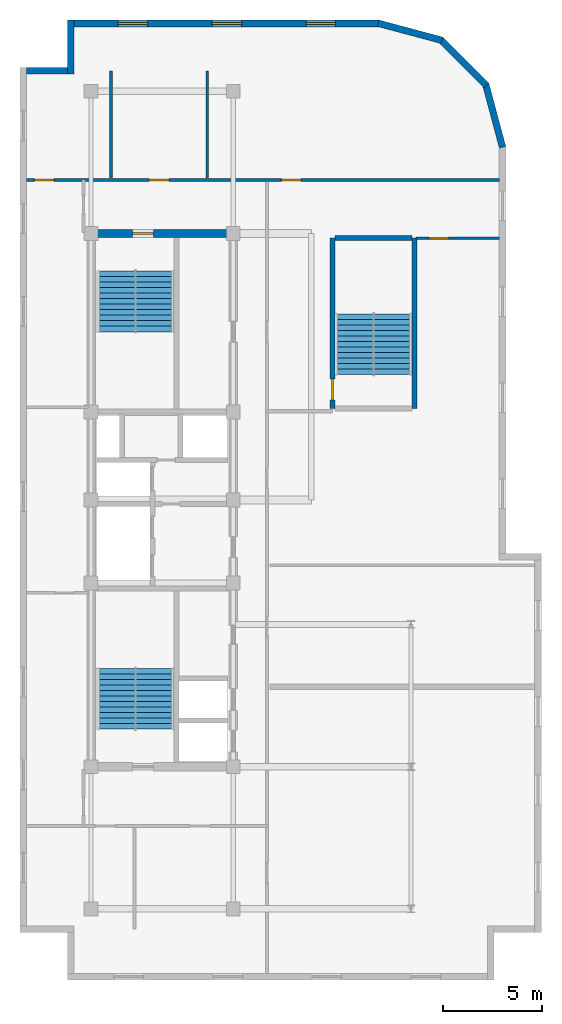
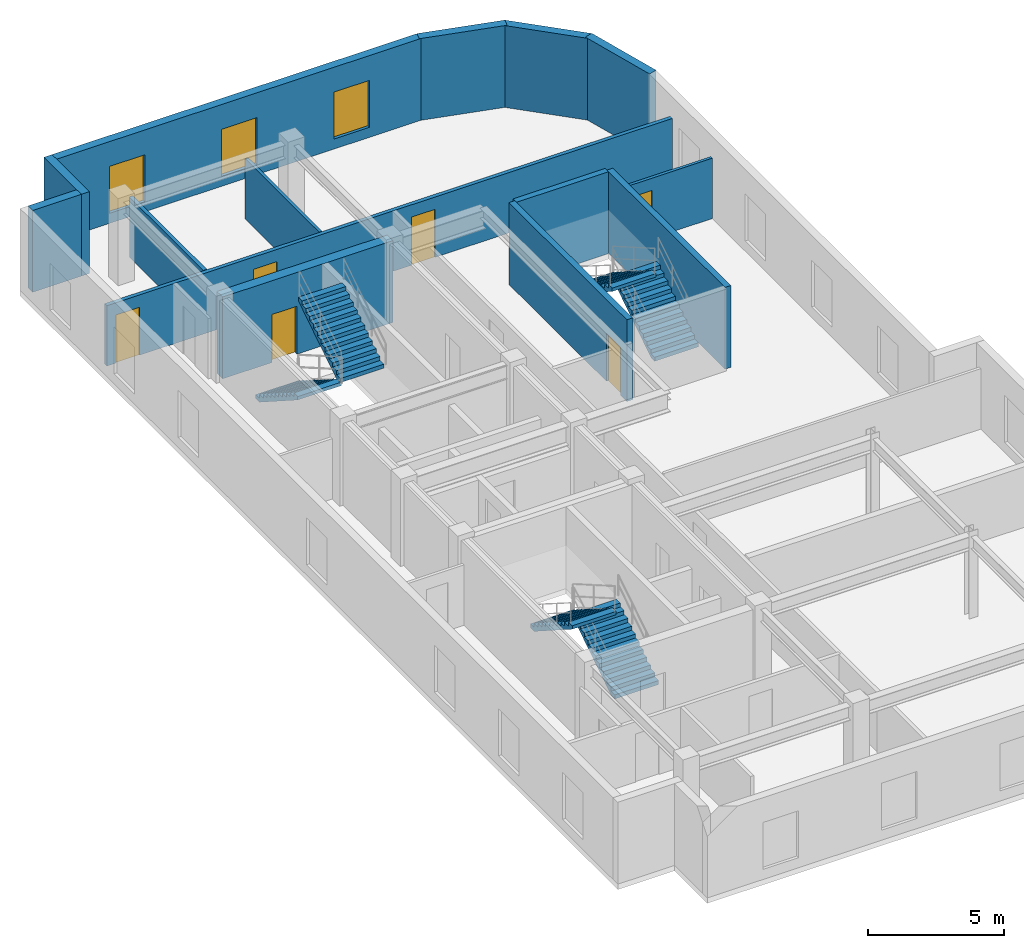
# One storey, part 4 of 5: 14 walls, 6 doors, 6 stair flights, 3 windows, 9 openings, 3 elements without a shape of their own.
"""IFC4 building model written with IfcOpenShell, lengths in metres."""

from ifc_helpers import new_model, entity, si_unit, converted_unit, direction, frame, origin_with_axes, origin_2d_with_axis, place, context, subcontext, project, spatial, polyline, rectangle, outline, extrude, material, layer, layer_set, type_object, element, fill, aggregate, save


model = new_model("IFC4")

# Units and contexts
model_context = context("Model", 3, precision=1e-05, world=origin_with_axes(), true_north=direction((0.0, 1.0)))
body_context = subcontext(model_context, "Body", "Model", "MODEL_VIEW")
ifc_project = project(units=[si_unit("LENGTHUNIT", "METRE"), si_unit("AREAUNIT", "SQUARE_METRE"), si_unit("VOLUMEUNIT", "CUBIC_METRE"), converted_unit("PLANEANGLEUNIT", "DEGREE", entity("IfcPlaneAngleMeasure", 0.017453292519943295), si_unit("PLANEANGLEUNIT", "RADIAN"), dimensions=[0, 0, 0, 0, 0, 0, 0]), si_unit("MASSUNIT", "GRAM", prefix="KILO"), si_unit("THERMODYNAMICTEMPERATUREUNIT", "KELVIN")], contexts=[model_context])

# Site, building, storey
site_placement = place(None, origin_with_axes())
site = spatial("IfcSite", under=ifc_project, at=site_placement, CompositionType="ELEMENT")
building_placement = place(site_placement, origin_with_axes())
building = spatial("IfcBuilding", under=site, at=building_placement, Name="Varnlund Millrace Tower", CompositionType="ELEMENT")
storey_placement = place(building_placement, frame((0.0, 0.0, 291.9), z_axis=(0.0, 0.0, 1.0), x_axis=(1.0, 0.0, 0.0)))
storey = spatial("IfcBuildingStorey", under=building, at=storey_placement, Name="L72", CompositionType="ELEMENT", Elevation=291.9)

# Wall, opening, door
ifc_material_1 = material(Name="Concrete C60/75", Category="concrete")
ifc_layer_1 = layer(ifc_material_1, 0.42, Name="Concrete C60/75")
ifc_layer_set_1 = layer_set([ifc_layer_1], Name="Concrete C60/75")
wall_type_1 = type_object("IfcWallType", Name="Type-CoreWall-Shear-420-C60", PredefinedType="SHEAR", material=ifc_layer_set_1)
wall_1_placement = place(storey_placement, frame((11.4, 37.8, 0.0), z_axis=(0.0, 0.0, 1.0), x_axis=(1.0, 0.0, 0.0)))
wall_1 = element("IfcWall", 1, at=wall_1_placement, inside=storey, type_object=wall_type_1, Name="Type-CoreWall-Shear-420-C60", PredefinedType="SHEAR", context=body_context, shape_type="SweptSolid", body=[
    extrude(outline(polyline([(0.0, -0.21), (7.2, -0.21), (7.2, 0.21), (0.0, 0.21), (0.0, -0.21)])), origin_with_axes(), (0.0, 0.0, 1.0), 3.66),
])
opening_1_placement = place(wall_1_placement, frame((2.625, 0.0, 0.0), z_axis=(0.0, 0.0, 1.0), x_axis=(1.0, 0.0, 0.0)))
opening_1 = element("IfcOpeningElement", 2, at=opening_1_placement, cuts=wall_1, Name="Opening L72:DR-STA2", PredefinedType="OPENING", context=body_context, shape_type="SweptSolid", body=[
    extrude(rectangle(XDim=1.05, YDim=0.44, at=origin_2d_with_axis()), origin_with_axes(), (0.0, 0.0, 1.0), 2.15),
])
ifc_material_2 = material(Name="Fire-rated hollow steel door", Category="steel")
door_type_1 = type_object("IfcDoorType", Name="Type-FireDoor-Stair-1050X2150", OperationType="NOTDEFINED", PredefinedType="DOOR", material=ifc_material_2)
door_1_placement = place(wall_1_placement, frame((2.625, 0.0, 0.0), z_axis=(0.0, 0.0, 1.0), x_axis=(1.0, 0.0, 0.0)))
door_1 = element("IfcDoor", 3, at=door_1_placement, inside=storey, type_object=door_type_1, Name="Type-FireDoor-Stair-1050X2150", OperationType="SINGLE_SWING_RIGHT", OverallHeight=2.15, OverallWidth=1.05, PredefinedType="DOOR", context=body_context, shape_type="SweptSolid", body=[
    extrude(rectangle(XDim=1.05, YDim=0.09, at=origin_2d_with_axis()), origin_with_axes(), (0.0, 0.0, 1.0), 2.15),
])
fill(opening_1, door_1)

# Walls
ifc_material_3 = material(Name="Precast concrete C50/60", Category="concrete")
ifc_layer_2 = layer(ifc_material_3, 0.34, Name="Precast concrete C50/60")
ifc_layer_set_2 = layer_set([ifc_layer_2], Name="Precast concrete C50/60")
wall_type_2 = type_object("IfcWallType", Name="Type-ExtWall-Precast-Upper-340", PredefinedType="SOLIDWALL", material=ifc_layer_set_2)
wall_2_placement = place(storey_placement, frame((8.14, 46.03, 0.0), z_axis=(0.0, 0.0, 1.0), x_axis=(1.0, 0.0, 0.0)))
element("IfcWall", 4, at=wall_2_placement, inside=storey, type_object=wall_type_2, Name="Type-ExtWall-Precast-Upper-340", PredefinedType="SOLIDWALL", context=body_context, shape_type="SweptSolid", body=[
    extrude(outline(polyline([(0.0, -0.17), (2.06, -0.17), (2.06, 0.17), (0.0, 0.17), (0.0, -0.17)])), origin_with_axes(), (0.0, 0.0, 1.0), 3.66),
])
wall_3_placement = place(storey_placement, frame((10.37, 45.86, 0.0), z_axis=(0.0, 0.0, 1.0), x_axis=(0.0, 1.0, 0.0)))
element("IfcWall", 5, at=wall_3_placement, inside=storey, type_object=wall_type_2, Name="Type-ExtWall-Precast-Upper-340", PredefinedType="SOLIDWALL", context=body_context, shape_type="SweptSolid", body=[
    extrude(outline(polyline([(0.0, -0.17), (2.74, -0.17), (2.74, 0.17), (0.0, 0.17), (0.0, -0.17)])), origin_with_axes(), (0.0, 0.0, 1.0), 3.66),
])

# Wall, openings, windows
wall_4_placement = place(storey_placement, frame((10.54, 48.43, 0.0), z_axis=(0.0, 0.0, 1.0), x_axis=(1.0, 0.0, 0.0)))
wall_4 = element("IfcWall", 6, at=wall_4_placement, inside=storey, type_object=wall_type_2, Name="Type-ExtWall-Precast-Upper-340", PredefinedType="SOLIDWALL", context=body_context, shape_type="SweptSolid", body=[
    extrude(outline(polyline([(0.0, -0.17), (15.46, -0.17), (15.46, 0.17), (0.0, 0.17), (0.0, -0.17)])), origin_with_axes(), (0.0, 0.0, 1.0), 3.66),
])
opening_2_placement = place(wall_4_placement, frame((2.977, 0.0, 0.45), z_axis=(0.0, 0.0, 1.0), x_axis=(1.0, 0.0, 0.0)))
opening_2 = element("IfcOpeningElement", 7, at=opening_2_placement, cuts=wall_4, Name="Opening L72:WN-12", PredefinedType="OPENING", context=body_context, shape_type="SweptSolid", body=[
    extrude(rectangle(XDim=1.5, YDim=0.36, at=origin_2d_with_axis()), origin_with_axes(), (0.0, 0.0, 1.0), 2.1),
])
opening_3_placement = place(wall_4_placement, frame((7.73, 0.0, 0.45), z_axis=(0.0, 0.0, 1.0), x_axis=(1.0, 0.0, 0.0)))
opening_3 = element("IfcOpeningElement", 8, at=opening_3_placement, cuts=wall_4, Name="Opening L72:WN-13", PredefinedType="OPENING", context=body_context, shape_type="SweptSolid", body=[
    extrude(rectangle(XDim=1.5, YDim=0.36, at=origin_2d_with_axis()), origin_with_axes(), (0.0, 0.0, 1.0), 2.1),
])
opening_4_placement = place(wall_4_placement, frame((12.483, 0.0, 0.45), z_axis=(0.0, 0.0, 1.0), x_axis=(1.0, 0.0, 0.0)))
opening_4 = element("IfcOpeningElement", 9, at=opening_4_placement, cuts=wall_4, Name="Opening L72:WN-14", PredefinedType="OPENING", context=body_context, shape_type="SweptSolid", body=[
    extrude(rectangle(XDim=1.5, YDim=0.36, at=origin_2d_with_axis()), origin_with_axes(), (0.0, 0.0, 1.0), 2.1),
])
ifc_material_4 = material(Name="Argon low-e triple glazing in thermally broken bronze frame", Category="glass")
window_type = type_object("IfcWindowType", Name="Type-Window-Punched-1500X2100", PartitioningType="SINGLE_PANEL", PredefinedType="WINDOW", material=ifc_material_4)
window_1_placement = place(wall_4_placement, frame((2.977, 0.0, 0.45), z_axis=(0.0, 0.0, 1.0), x_axis=(1.0, 0.0, 0.0)))
window_1 = element("IfcWindow", 10, at=window_1_placement, inside=storey, type_object=window_type, Name="Type-Window-Punched-1500X2100", OverallHeight=2.1, OverallWidth=1.5, PredefinedType="WINDOW", context=body_context, shape_type="SweptSolid", body=[
    extrude(rectangle(XDim=1.5, YDim=0.09, at=origin_2d_with_axis()), origin_with_axes(), (0.0, 0.0, 1.0), 2.1),
])
fill(opening_2, window_1)
window_2_placement = place(wall_4_placement, frame((7.73, 0.0, 0.45), z_axis=(0.0, 0.0, 1.0), x_axis=(1.0, 0.0, 0.0)))
window_2 = element("IfcWindow", 11, at=window_2_placement, inside=storey, type_object=window_type, Name="Type-Window-Punched-1500X2100", OverallHeight=2.1, OverallWidth=1.5, PredefinedType="WINDOW", context=body_context, shape_type="SweptSolid", body=[
    extrude(rectangle(XDim=1.5, YDim=0.09, at=origin_2d_with_axis()), origin_with_axes(), (0.0, 0.0, 1.0), 2.1),
])
fill(opening_3, window_2)
window_3_placement = place(wall_4_placement, frame((12.483, 0.0, 0.45), z_axis=(0.0, 0.0, 1.0), x_axis=(1.0, 0.0, 0.0)))
window_3 = element("IfcWindow", 12, at=window_3_placement, inside=storey, type_object=window_type, Name="Type-Window-Punched-1500X2100", OverallHeight=2.1, OverallWidth=1.5, PredefinedType="WINDOW", context=body_context, shape_type="SweptSolid", body=[
    extrude(rectangle(XDim=1.5, YDim=0.09, at=origin_2d_with_axis()), origin_with_axes(), (0.0, 0.0, 1.0), 2.1),
])
fill(opening_4, window_3)

# Walls
wall_5_placement = place(storey_placement, frame((25.937, 48.441, 0.0), z_axis=(0.0, 0.0, 1.0), x_axis=(0.965965, -0.258671, 0.0)))
element("IfcWall", 13, at=wall_5_placement, inside=storey, type_object=wall_type_2, Name="Type-ExtWall-Precast-Upper-340", PredefinedType="SOLIDWALL", context=body_context, shape_type="SweptSolid", body=[
    extrude(outline(polyline([(0.0, -0.17), (3.332417, -0.17), (3.332417, 0.17), (0.0, 0.17), (0.0, -0.17)])), origin_with_axes(), (0.0, 0.0, 1.0), 3.66),
])
wall_6_placement = place(storey_placement, frame((29.066, 47.637, 0.0), z_axis=(0.0, 0.0, 1.0), x_axis=(0.707107, -0.707107, 0.0)))
element("IfcWall", 14, at=wall_6_placement, inside=storey, type_object=wall_type_2, Name="Type-ExtWall-Precast-Upper-340", PredefinedType="SOLIDWALL", context=body_context, shape_type="SweptSolid", body=[
    extrude(outline(polyline([(0.0, -0.17), (3.333301, -0.17), (3.333301, 0.17), (0.0, 0.17), (0.0, -0.17)])), origin_with_axes(), (0.0, 0.0, 1.0), 3.66),
])
wall_7_placement = place(storey_placement, frame((31.374, 45.375, 0.0), z_axis=(0.0, 0.0, 1.0), x_axis=(0.258671, -0.965965, 0.0)))
element("IfcWall", 15, at=wall_7_placement, inside=storey, type_object=wall_type_2, Name="Type-ExtWall-Precast-Upper-340", PredefinedType="SOLIDWALL", context=body_context, shape_type="SweptSolid", body=[
    extrude(outline(polyline([(0.0, -0.17), (3.332417, -0.17), (3.332417, 0.17), (0.0, 0.17), (0.0, -0.17)])), origin_with_axes(), (0.0, 0.0, 1.0), 3.66),
])

# Wall, openings, doors
ifc_material_5 = material(Name="Fire-rated gypsum board on cold-formed steel framing", Category="steel")
ifc_layer_3 = layer(ifc_material_5, 0.16, Name="Fire-rated gypsum board on cold-formed steel framing")
ifc_layer_set_3 = layer_set([ifc_layer_3], Name="Fire-rated gypsum board on cold-formed steel framing")
wall_type_3 = type_object("IfcWallType", Name="Type-Partition-Corridor-160", PredefinedType="PARTITIONING", material=ifc_layer_set_3)
wall_8_placement = place(storey_placement, frame((8.135, 40.5, 0.0), z_axis=(0.0, 0.0, 1.0), x_axis=(1.0, 0.0, 0.0)))
wall_8 = element("IfcWall", 16, at=wall_8_placement, inside=storey, type_object=wall_type_3, Name="Type-Partition-Corridor-160", PredefinedType="PARTITIONING", context=body_context, shape_type="SweptSolid", body=[
    extrude(outline(polyline([(0.0, -0.08), (23.93, -0.08), (23.93, 0.08), (0.0, 0.08), (0.0, -0.08)])), origin_with_axes(), (0.0, 0.0, 1.0), 2.7),
])
opening_5_placement = place(wall_8_placement, frame((0.889, 0.0, 0.0), z_axis=(0.0, 0.0, 1.0), x_axis=(1.0, 0.0, 0.0)))
opening_5 = element("IfcOpeningElement", 17, at=opening_5_placement, cuts=wall_8, Name="Opening L72:DR-WAN-01", PredefinedType="OPENING", context=body_context, shape_type="SweptSolid", body=[
    extrude(rectangle(XDim=1.0, YDim=0.18, at=origin_2d_with_axis()), origin_with_axes(), (0.0, 0.0, 1.0), 2.15),
])
opening_6_placement = place(wall_8_placement, frame((6.7075, 0.0, 0.0), z_axis=(0.0, 0.0, 1.0), x_axis=(1.0, 0.0, 0.0)))
opening_6 = element("IfcOpeningElement", 18, at=opening_6_placement, cuts=wall_8, Name="Opening L72:DR-WAN-02", PredefinedType="OPENING", context=body_context, shape_type="SweptSolid", body=[
    extrude(rectangle(XDim=1.0, YDim=0.18, at=origin_2d_with_axis()), origin_with_axes(), (0.0, 0.0, 1.0), 2.15),
])
opening_7_placement = place(wall_8_placement, frame((13.393, 0.0, 0.0), z_axis=(0.0, 0.0, 1.0), x_axis=(1.0, 0.0, 0.0)))
opening_7 = element("IfcOpeningElement", 19, at=opening_7_placement, cuts=wall_8, Name="Opening L72:DR-WAN-03", PredefinedType="OPENING", context=body_context, shape_type="SweptSolid", body=[
    extrude(rectangle(XDim=1.0, YDim=0.18, at=origin_2d_with_axis()), origin_with_axes(), (0.0, 0.0, 1.0), 2.15),
])
ifc_material_6 = material(Name="Solid-core white oak and bronze frame door")
door_type_2 = type_object("IfcDoorType", Name="Type-IntDoor-Office-1000X2150", OperationType="NOTDEFINED", PredefinedType="DOOR", material=ifc_material_6)
door_2_placement = place(wall_8_placement, frame((0.889, 0.0, 0.0), z_axis=(0.0, 0.0, 1.0), x_axis=(1.0, 0.0, 0.0)))
door_2 = element("IfcDoor", 20, at=door_2_placement, inside=storey, type_object=door_type_2, Name="Type-IntDoor-Office-1000X2150", OperationType="SINGLE_SWING_LEFT", OverallHeight=2.15, OverallWidth=1.0, PredefinedType="DOOR", context=body_context, shape_type="SweptSolid", body=[
    extrude(rectangle(XDim=1.0, YDim=0.09, at=origin_2d_with_axis()), origin_with_axes(), (0.0, 0.0, 1.0), 2.15),
])
fill(opening_5, door_2)
door_3_placement = place(wall_8_placement, frame((6.7075, 0.0, 0.0), z_axis=(0.0, 0.0, 1.0), x_axis=(1.0, 0.0, 0.0)))
door_3 = element("IfcDoor", 21, at=door_3_placement, inside=storey, type_object=door_type_2, Name="Type-IntDoor-Office-1000X2150", OperationType="SINGLE_SWING_RIGHT", OverallHeight=2.15, OverallWidth=1.0, PredefinedType="DOOR", context=body_context, shape_type="SweptSolid", body=[
    extrude(rectangle(XDim=1.0, YDim=0.09, at=origin_2d_with_axis()), origin_with_axes(), (0.0, 0.0, 1.0), 2.15),
])
fill(opening_6, door_3)
door_4_placement = place(wall_8_placement, frame((13.393, 0.0, 0.0), z_axis=(0.0, 0.0, 1.0), x_axis=(1.0, 0.0, 0.0)))
door_4 = element("IfcDoor", 22, at=door_4_placement, inside=storey, type_object=door_type_2, Name="Type-IntDoor-Office-1000X2150", OperationType="SINGLE_SWING_LEFT", OverallHeight=2.15, OverallWidth=1.0, PredefinedType="DOOR", context=body_context, shape_type="SweptSolid", body=[
    extrude(rectangle(XDim=1.0, YDim=0.09, at=origin_2d_with_axis()), origin_with_axes(), (0.0, 0.0, 1.0), 2.15),
])
fill(opening_7, door_4)

# Walls
ifc_material_7 = material(Name="Acoustic STC-50 gypsum board partition", Category="gypsum")
ifc_layer_4 = layer(ifc_material_7, 0.15, Name="Acoustic STC-50 gypsum board partition")
ifc_layer_set_4 = layer_set([ifc_layer_4], Name="Acoustic STC-50 gypsum board partition")
wall_type_4 = type_object("IfcWallType", Name="Type-Partition-Demising-150", PredefinedType="PARTITIONING", material=ifc_layer_set_4)
wall_9_placement = place(storey_placement, frame((12.399, 40.6, 0.0), z_axis=(0.0, 0.0, 1.0), x_axis=(0.0, 1.0, 0.0)))
element("IfcWall", 23, at=wall_9_placement, inside=storey, type_object=wall_type_4, Name="Type-Partition-Demising-150", PredefinedType="PARTITIONING", context=body_context, shape_type="SweptSolid", body=[
    extrude(outline(polyline([(0.0, -0.075), (5.42, -0.075), (5.42, 0.075), (0.0, 0.075), (0.0, -0.075)])), origin_with_axes(), (0.0, 0.0, 1.0), 2.7),
])
ifc_material_8 = material(Name="Gypsum board tenant partition", Category="gypsum")
ifc_layer_5 = layer(ifc_material_8, 0.125, Name="Gypsum board tenant partition")
ifc_layer_set_5 = layer_set([ifc_layer_5], Name="Gypsum board tenant partition")
wall_type_5 = type_object("IfcWallType", Name="Type-Partition-Tenant-125", PredefinedType="PARTITIONING", material=ifc_layer_set_5)
wall_10_placement = place(storey_placement, frame((17.286, 40.6, 0.0), z_axis=(0.0, 0.0, 1.0), x_axis=(0.0, 1.0, 0.0)))
element("IfcWall", 24, at=wall_10_placement, inside=storey, type_object=wall_type_5, Name="Type-Partition-Tenant-125", PredefinedType="PARTITIONING", context=body_context, shape_type="SweptSolid", body=[
    extrude(outline(polyline([(0.0, -0.0625), (5.42, -0.0625), (5.42, 0.0625), (0.0, 0.0625), (0.0, -0.0625)])), origin_with_axes(), (0.0, 0.0, 1.0), 2.7),
])

# Wall, opening, door
wall_11_placement = place(storey_placement, frame((27.85, 37.55, 0.0), z_axis=(0.0, 0.0, 1.0), x_axis=(1.0, 0.0, 0.0)))
wall_11 = element("IfcWall", 25, at=wall_11_placement, inside=storey, type_object=wall_type_5, Name="Type-Partition-Tenant-125", PredefinedType="PARTITIONING", context=body_context, shape_type="SweptSolid", body=[
    extrude(outline(polyline([(0.0, -0.0625), (4.215, -0.0625), (4.215, 0.0625), (0.0, 0.0625), (0.0, -0.0625)])), origin_with_axes(), (0.0, 0.0, 1.0), 2.7),
])
opening_8_placement = place(wall_11_placement, frame((1.15, 0.0, 0.0), z_axis=(0.0, 0.0, 1.0), x_axis=(1.0, 0.0, 0.0)))
opening_8 = element("IfcOpeningElement", 26, at=opening_8_placement, cuts=wall_11, Name="Opening L72:DR-SUM-N", PredefinedType="OPENING", context=body_context, shape_type="SweptSolid", body=[
    extrude(rectangle(XDim=1.0, YDim=0.145, at=origin_2d_with_axis()), origin_with_axes(), (0.0, 0.0, 1.0), 2.15),
])
door_5_placement = place(wall_11_placement, frame((1.15, 0.0, 0.0), z_axis=(0.0, 0.0, 1.0), x_axis=(1.0, 0.0, 0.0)))
door_5 = element("IfcDoor", 27, at=door_5_placement, inside=storey, type_object=door_type_2, Name="Type-IntDoor-Office-1000X2150", OperationType="SINGLE_SWING_LEFT", OverallHeight=2.15, OverallWidth=1.0, PredefinedType="DOOR", context=body_context, shape_type="SweptSolid", body=[
    extrude(rectangle(XDim=1.0, YDim=0.075, at=origin_2d_with_axis()), origin_with_axes(), (0.0, 0.0, 1.0), 2.15),
])
fill(opening_8, door_5)

ifc_layer_6 = layer(ifc_material_1, 0.25, Name="Concrete C60/75")
ifc_layer_set_6 = layer_set([ifc_layer_6], Name="Concrete C60/75")
wall_type_6 = type_object("IfcWallType", Name="Type-StairWall-Shear-250", PredefinedType="SHEAR", material=ifc_layer_set_6)
wall_12_placement = place(storey_placement, frame((23.625, 28.925, 0.0), z_axis=(0.0, 0.0, 1.0), x_axis=(0.0, 1.0, 0.0)))
wall_12 = element("IfcWall", 28, at=wall_12_placement, inside=storey, type_object=wall_type_6, Name="Type-StairWall-Shear-250", PredefinedType="SHEAR", context=body_context, shape_type="SweptSolid", body=[
    extrude(outline(polyline([(0.0, -0.125), (8.65, -0.125), (8.65, 0.125), (0.0, 0.125), (0.0, -0.125)])), origin_with_axes(), (0.0, 0.0, 1.0), 3.66),
])
opening_9_placement = place(wall_12_placement, frame((0.975, 0.0, 0.0), z_axis=(0.0, 0.0, 1.0), x_axis=(1.0, 0.0, 0.0)))
opening_9 = element("IfcOpeningElement", 29, at=opening_9_placement, cuts=wall_12, Name="Opening L72:DR-STA3", PredefinedType="OPENING", context=body_context, shape_type="SweptSolid", body=[
    extrude(rectangle(XDim=1.05, YDim=0.27, at=origin_2d_with_axis()), origin_with_axes(), (0.0, 0.0, 1.0), 2.15),
])
door_6_placement = place(wall_12_placement, frame((0.975, 0.0, 0.0), z_axis=(0.0, 0.0, 1.0), x_axis=(1.0, 0.0, 0.0)))
door_6 = element("IfcDoor", 30, at=door_6_placement, inside=storey, type_object=door_type_1, Name="Type-FireDoor-Stair-1050X2150", OperationType="SINGLE_SWING_LEFT", OverallHeight=2.15, OverallWidth=1.05, PredefinedType="DOOR", context=body_context, shape_type="SweptSolid", body=[
    extrude(rectangle(XDim=1.05, YDim=0.09, at=origin_2d_with_axis()), origin_with_axes(), (0.0, 0.0, 1.0), 2.15),
])
fill(opening_9, door_6)

# Walls
wall_13_placement = place(storey_placement, frame((27.775, 28.925, 0.0), z_axis=(0.0, 0.0, 1.0), x_axis=(0.0, 1.0, 0.0)))
element("IfcWall", 31, at=wall_13_placement, inside=storey, type_object=wall_type_6, Name="Type-StairWall-Shear-250", PredefinedType="SHEAR", context=body_context, shape_type="SweptSolid", body=[
    extrude(outline(polyline([(0.0, -0.125), (8.65, -0.125), (8.65, 0.125), (0.0, 0.125), (0.0, -0.125)])), origin_with_axes(), (0.0, 0.0, 1.0), 3.66),
])
wall_14_placement = place(storey_placement, frame((23.75, 37.575, 0.0), z_axis=(0.0, 0.0, 1.0), x_axis=(1.0, 0.0, 0.0)))
element("IfcWall", 32, at=wall_14_placement, inside=storey, type_object=wall_type_6, Name="Type-StairWall-Shear-250", PredefinedType="SHEAR", context=body_context, shape_type="SweptSolid", body=[
    extrude(outline(polyline([(0.0, -0.125), (3.9, -0.125), (3.9, 0.125), (0.0, 0.125), (0.0, -0.125)])), origin_with_axes(), (0.0, 0.0, 1.0), 3.66),
])

# Stair, stair flights
ifc_material_9 = material(Name="Concrete C50/60", Category="concrete")
stair_type = type_object("IfcStairType", Name="Type-Stair-Dogleg-185-390", PredefinedType="HALF_TURN_STAIR", material=ifc_material_9)
stair_1_placement = place(storey_placement, origin_with_axes())
stair_1 = element("IfcStair", 33, at=stair_1_placement, inside=storey, type_object=stair_type, Name="Type-Stair-Dogleg-185-390", PredefinedType="HALF_TURN_STAIR")
stair_flight_type = type_object("IfcStairFlightType", Name="Type-Dogleg-Run-185-390", PredefinedType="STRAIGHT", material=ifc_material_3)
stair_flight_1_placement = place(storey_placement, frame((13.625, 12.7, 0.0), z_axis=(1.0, 0.0, 0.0), x_axis=(0.0, 1.0, 0.0)))
stair_flight_1 = element("IfcStairFlight", 34, at=stair_flight_1_placement, type_object=stair_flight_type, Name="ST-A1 flight 1", NumberOfRisers=11, NumberOfTreads=11, PredefinedType="STRAIGHT", RiserHeight=0.177273, TreadLength=0.28, context=body_context, shape_type="SweptSolid", body=[
    extrude(outline(polyline([(0.0, 0.0), (0.0, 0.177273), (0.28, 0.177273), (0.28, 0.354545), (0.56, 0.354545), (0.56, 0.531818), (0.84, 0.531818), (0.84, 0.709091), (1.12, 0.709091), (1.12, 0.886364), (1.4, 0.886364), (1.4, 1.063636), (1.68, 1.063636), (1.68, 1.240909), (1.96, 1.240909), (1.96, 1.418182), (2.24, 1.418182), (2.24, 1.595454), (2.52, 1.595454), (2.52, 1.772727), (2.8, 1.772727), (2.8, 1.95), (3.08, 1.95), (3.08, 1.8), (0.28, 0.0), (0.0, 0.0)])), origin_with_axes(), (0.0, 0.0, 1.0), 1.85),
])
stair_flight_2_placement = place(storey_placement, frame((13.675, 15.78, 1.95), z_axis=(-1.0, 0.0, 0.0), x_axis=(0.0, -1.0, 0.0)))
stair_flight_2 = element("IfcStairFlight", 35, at=stair_flight_2_placement, type_object=stair_flight_type, Name="ST-A1 flight 2", NumberOfRisers=11, NumberOfTreads=11, PredefinedType="STRAIGHT", RiserHeight=0.177273, TreadLength=0.28, context=body_context, shape_type="SweptSolid", body=[
    extrude(outline(polyline([(0.0, 0.0), (0.0, 0.177273), (0.28, 0.177273), (0.28, 0.354545), (0.56, 0.354545), (0.56, 0.531818), (0.84, 0.531818), (0.84, 0.709091), (1.12, 0.709091), (1.12, 0.886364), (1.4, 0.886364), (1.4, 1.063636), (1.68, 1.063636), (1.68, 1.240909), (1.96, 1.240909), (1.96, 1.418182), (2.24, 1.418182), (2.24, 1.595454), (2.52, 1.595454), (2.52, 1.772727), (2.8, 1.772727), (2.8, 1.95), (3.08, 1.95), (3.08, 1.8), (0.28, 0.0), (0.0, 0.0)])), origin_with_axes(), (0.0, 0.0, 1.0), 1.85),
])
aggregate(stair_1, [stair_flight_1, stair_flight_2])

stair_2_placement = place(storey_placement, origin_with_axes())
stair_2 = element("IfcStair", 36, at=stair_2_placement, inside=storey, type_object=stair_type, Name="Type-Stair-Dogleg-185-390", PredefinedType="HALF_TURN_STAIR")
stair_flight_3_placement = place(storey_placement, frame((13.675, 35.9, 0.0), z_axis=(-1.0, 0.0, 0.0), x_axis=(0.0, -1.0, 0.0)))
stair_flight_3 = element("IfcStairFlight", 37, at=stair_flight_3_placement, type_object=stair_flight_type, Name="ST-A2 flight 1", NumberOfRisers=11, NumberOfTreads=11, PredefinedType="STRAIGHT", RiserHeight=0.177273, TreadLength=0.28, context=body_context, shape_type="SweptSolid", body=[
    extrude(outline(polyline([(0.0, 0.0), (0.0, 0.177273), (0.28, 0.177273), (0.28, 0.354545), (0.56, 0.354545), (0.56, 0.531818), (0.84, 0.531818), (0.84, 0.709091), (1.12, 0.709091), (1.12, 0.886364), (1.4, 0.886364), (1.4, 1.063636), (1.68, 1.063636), (1.68, 1.240909), (1.96, 1.240909), (1.96, 1.418182), (2.24, 1.418182), (2.24, 1.595454), (2.52, 1.595454), (2.52, 1.772727), (2.8, 1.772727), (2.8, 1.95), (3.08, 1.95), (3.08, 1.8), (0.28, 0.0), (0.0, 0.0)])), origin_with_axes(), (0.0, 0.0, 1.0), 1.85),
])
stair_flight_4_placement = place(storey_placement, frame((13.625, 32.82, 1.95), z_axis=(1.0, 0.0, 0.0), x_axis=(0.0, 1.0, 0.0)))
stair_flight_4 = element("IfcStairFlight", 38, at=stair_flight_4_placement, type_object=stair_flight_type, Name="ST-A2 flight 2", NumberOfRisers=11, NumberOfTreads=11, PredefinedType="STRAIGHT", RiserHeight=0.177273, TreadLength=0.28, context=body_context, shape_type="SweptSolid", body=[
    extrude(outline(polyline([(0.0, 0.0), (0.0, 0.177273), (0.28, 0.177273), (0.28, 0.354545), (0.56, 0.354545), (0.56, 0.531818), (0.84, 0.531818), (0.84, 0.709091), (1.12, 0.709091), (1.12, 0.886364), (1.4, 0.886364), (1.4, 1.063636), (1.68, 1.063636), (1.68, 1.240909), (1.96, 1.240909), (1.96, 1.418182), (2.24, 1.418182), (2.24, 1.595454), (2.52, 1.595454), (2.52, 1.772727), (2.8, 1.772727), (2.8, 1.95), (3.08, 1.95), (3.08, 1.8), (0.28, 0.0), (0.0, 0.0)])), origin_with_axes(), (0.0, 0.0, 1.0), 1.85),
])
aggregate(stair_2, [stair_flight_3, stair_flight_4])

stair_3_placement = place(storey_placement, origin_with_axes())
stair_3 = element("IfcStair", 39, at=stair_3_placement, inside=storey, type_object=stair_type, Name="Type-Stair-Dogleg-185-390", PredefinedType="HALF_TURN_STAIR")
stair_flight_5_placement = place(storey_placement, frame((25.675, 30.65, 0.0), z_axis=(1.0, 0.0, 0.0), x_axis=(0.0, 1.0, 0.0)))
stair_flight_5 = element("IfcStairFlight", 40, at=stair_flight_5_placement, type_object=stair_flight_type, Name="ST-A3 flight 1", NumberOfRisers=11, NumberOfTreads=11, PredefinedType="STRAIGHT", RiserHeight=0.177273, TreadLength=0.28, context=body_context, shape_type="SweptSolid", body=[
    extrude(outline(polyline([(0.0, 0.0), (0.0, 0.177273), (0.28, 0.177273), (0.28, 0.354545), (0.56, 0.354545), (0.56, 0.531818), (0.84, 0.531818), (0.84, 0.709091), (1.12, 0.709091), (1.12, 0.886364), (1.4, 0.886364), (1.4, 1.063636), (1.68, 1.063636), (1.68, 1.240909), (1.96, 1.240909), (1.96, 1.418182), (2.24, 1.418182), (2.24, 1.595454), (2.52, 1.595454), (2.52, 1.772727), (2.8, 1.772727), (2.8, 1.95), (3.08, 1.95), (3.08, 1.8), (0.28, 0.0), (0.0, 0.0)])), origin_with_axes(), (0.0, 0.0, 1.0), 1.85),
])
stair_flight_6_placement = place(storey_placement, frame((25.725, 33.73, 1.95), z_axis=(-1.0, 0.0, 0.0), x_axis=(0.0, -1.0, 0.0)))
stair_flight_6 = element("IfcStairFlight", 41, at=stair_flight_6_placement, type_object=stair_flight_type, Name="ST-A3 flight 2", NumberOfRisers=11, NumberOfTreads=11, PredefinedType="STRAIGHT", RiserHeight=0.177273, TreadLength=0.28, context=body_context, shape_type="SweptSolid", body=[
    extrude(outline(polyline([(0.0, 0.0), (0.0, 0.177273), (0.28, 0.177273), (0.28, 0.354545), (0.56, 0.354545), (0.56, 0.531818), (0.84, 0.531818), (0.84, 0.709091), (1.12, 0.709091), (1.12, 0.886364), (1.4, 0.886364), (1.4, 1.063636), (1.68, 1.063636), (1.68, 1.240909), (1.96, 1.240909), (1.96, 1.418182), (2.24, 1.418182), (2.24, 1.595454), (2.52, 1.595454), (2.52, 1.772727), (2.8, 1.772727), (2.8, 1.95), (3.08, 1.95), (3.08, 1.8), (0.28, 0.0), (0.0, 0.0)])), origin_with_axes(), (0.0, 0.0, 1.0), 1.85),
])
aggregate(stair_3, [stair_flight_5, stair_flight_6])

save(model, "model.ifc")
